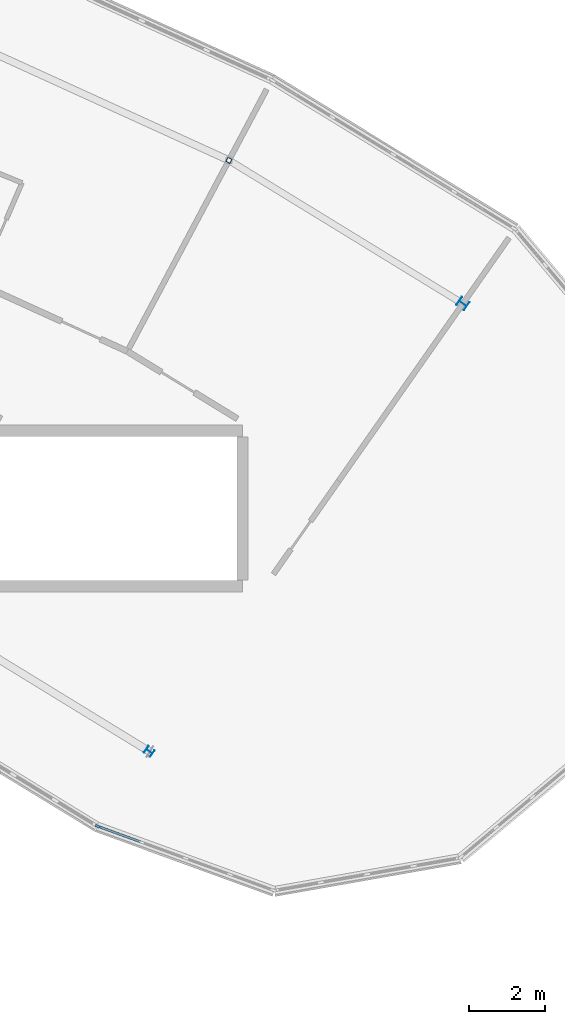
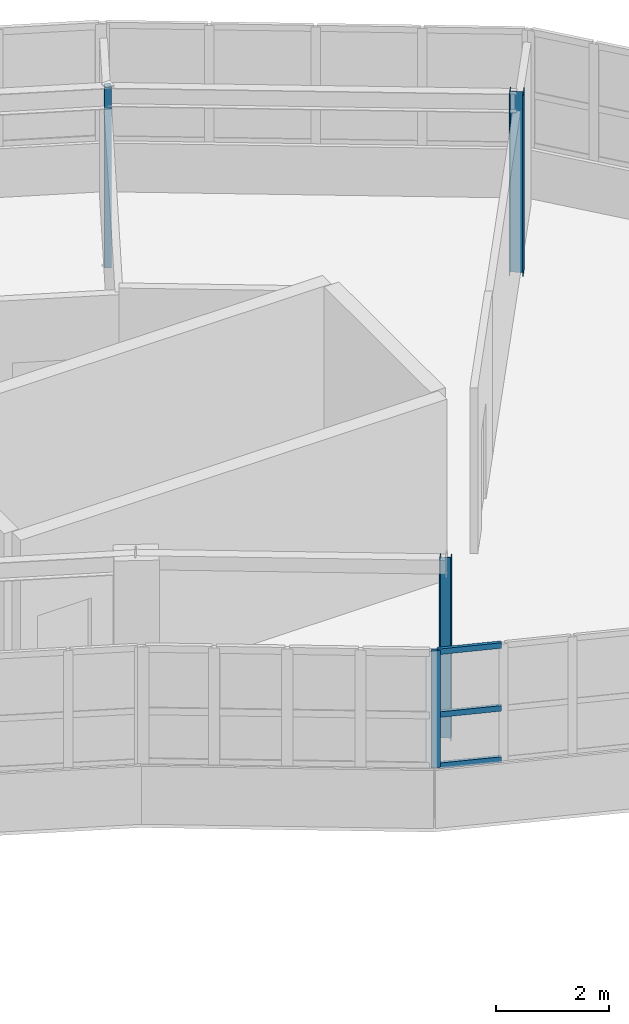
# One storey, part 5 of 26: 4 members, 3 columns, 1 element without a shape of its own.
"""IFC4 building model written with IfcOpenShell, lengths in metres."""

from ifc_helpers import new_model, si_unit, direction, frame, origin, origin_2d, place, context, subcontext, project, spatial, rectangle, hollow_rectangle, i_section, extrude, material, layer, layer_set, material_profile, profile_set, type_object, element, aggregate, save


model = new_model("IFC4")

# Units and contexts
model_context = context("Model", 3, precision=1e-05, world=origin(), true_north=direction((0.0, 1.0)))
body_context = subcontext(model_context, "Body", "Model", "MODEL_VIEW")
ifc_project = project(units=[si_unit("LENGTHUNIT", "METRE"), si_unit("AREAUNIT", "SQUARE_METRE"), si_unit("VOLUMEUNIT", "CUBIC_METRE"), si_unit("PLANEANGLEUNIT", "RADIAN"), si_unit("MASSUNIT", "GRAM", prefix="KILO")], contexts=[model_context])

# Site, building, storey
site_placement = place(None, origin())
site = spatial("IfcSite", under=ifc_project, at=site_placement, CompositionType="ELEMENT")
building_placement = place(site_placement, origin())
building = spatial("IfcBuilding", under=site, at=building_placement, Name="Tarnwether General Hospital", CompositionType="ELEMENT")
storey_placement = place(building_placement, frame((0.0, 0.0, 30.0)))
storey = spatial("IfcBuildingStorey", under=building, at=storey_placement, Name="L07", CompositionType="ELEMENT", Elevation=30.0)

# Columns
ifc_material_1 = material(Name="Steel Grade 350 (350 MPa)", Category="steel")
ifc_material_profile_1 = material_profile(ifc_material_1, i_section(OverallWidth=0.25390625, OverallDepth=0.25390625, WebThickness=0.008544921875, FlangeThickness=0.01416015625, at=origin_2d()), Name="250UC72.9")
ifc_profile_set_1 = profile_set([ifc_material_profile_1], Name="Steel Grade 350 (350 MPa)")
column_type_1 = type_object("IfcColumnType", Name="COL-24", PredefinedType="COLUMN", material=ifc_profile_set_1)
column_1_placement = place(storey_placement, frame((125.9560546875, 111.493896484375, 0.0), z_axis=(0.0, 0.0, 1.0), x_axis=(0.573576436351, 0.819152044289, 0.0)))
element("IfcColumn", 1, at=column_1_placement, inside=storey, type_object=column_type_1, Name="Column COLG-L07-12596_11149", PredefinedType="COLUMN", context=body_context, shape_type="SweptSolid", body=[
    extrude(i_section(OverallWidth=0.25390625, OverallDepth=0.25390625, WebThickness=0.008544921875, FlangeThickness=0.01416015625, at=origin_2d()), origin(), (0.0, 0.0, 1.0), 3.89990234375),
])
ifc_material_2 = material(Name="Steel Grade 350 (350 MPa)", Category="steel")
ifc_material_profile_2 = material_profile(ifc_material_2, i_section(OverallWidth=0.205078125, OverallDepth=0.2099609375, WebThickness=0.00927734375, FlangeThickness=0.01416015625, at=origin_2d()), Name="200UC59.5")
ifc_profile_set_2 = profile_set([ifc_material_profile_2], Name="Steel Grade 350 (350 MPa)")
column_type_2 = type_object("IfcColumnType", Name="COL-25", PredefinedType="COLUMN", material=ifc_profile_set_2)
column_2_placement = place(storey_placement, frame((117.696044921875, 99.697998046875, 0.0), z_axis=(0.0, 0.0, 1.0), x_axis=(0.573576436351, 0.819152044289, 0.0)))
element("IfcColumn", 2, at=column_2_placement, inside=storey, type_object=column_type_2, Name="Column COLG-L07-11770_9970", PredefinedType="COLUMN", context=body_context, shape_type="SweptSolid", body=[
    extrude(i_section(OverallWidth=0.205078125, OverallDepth=0.2099609375, WebThickness=0.00927734375, FlangeThickness=0.01416015625, at=origin_2d()), origin(), (0.0, 0.0, 1.0), 3.89990234375),
])
ifc_material_3 = material(Name="Steel Grade C350L0 (350 MPa)", Category="steel")
ifc_material_profile_3 = material_profile(ifc_material_3, hollow_rectangle(XDim=0.125, YDim=0.125, WallThickness=0.006103515625, at=origin_2d()), Name="SHS125x125x6")
ifc_profile_set_3 = profile_set([ifc_material_profile_3], Name="Steel Grade C350L0 (350 MPa)")
column_type_3 = type_object("IfcColumnType", Name="COL-34", PredefinedType="COLUMN", material=ifc_profile_set_3)
column_3_placement = place(storey_placement, frame((119.79296875, 115.27001953125, 0.0), z_axis=(0.0, 0.0, 1.0), x_axis=(0.469471562786, 0.882947592859, 0.0)))
element("IfcColumn", 3, at=column_3_placement, inside=storey, type_object=column_type_3, Name="Column COLG-L07-11979_11527", PredefinedType="COLUMN", context=body_context, shape_type="SweptSolid", body=[
    extrude(hollow_rectangle(XDim=0.125, YDim=0.125, WallThickness=0.006103515625, at=origin_2d()), origin(), (0.0, 0.0, 1.0), 3.89990234375),
])

# Curtain wall, members
ifc_material_4 = material(Name="Anodised aluminium", Category="aluminium")
ifc_layer = layer(ifc_material_4, 0.159912109375)
ifc_layer_set = layer_set([ifc_layer], Name="Anodised aluminium")
curtain_wall_type = type_object("IfcCurtainWallType", Name="CW-03", PredefinedType="NOTDEFINED", material=ifc_layer_set)
curtain_wall_placement = place(storey_placement, origin())
curtain_wall = element("IfcCurtainWall", 4, at=curtain_wall_placement, inside=storey, type_object=curtain_wall_type, Name="Curtain Wall CWG-L07-1210_960-0140", PredefinedType="NOTDEFINED")
ifc_material_5 = material(Name="Anodised aluminium", Category="aluminium")
ifc_material_profile_4 = material_profile(ifc_material_5, rectangle(XDim=0.06005859375, YDim=0.159912109375, at=origin_2d()), Name="ALU-MUL-60x160")
ifc_profile_set_4 = profile_set([ifc_material_profile_4], Name="Anodised aluminium")
member_type_1 = type_object("IfcMemberType", Name="CW-ML1", PredefinedType="MULLION", material=ifc_profile_set_4)
member_1_placement = place(storey_placement, frame((116.34814453125, 97.7216796875, 1.050048828125), z_axis=(0.0, 0.0, 1.0), x_axis=(-0.342130850834, -0.939652319163, 0.0)))
member_1 = element("IfcMember", 5, at=member_1_placement, type_object=member_type_1, Name="CW-03 mullion 5", PredefinedType="MULLION", context=body_context, shape_type="SweptSolid", body=[
    extrude(rectangle(XDim=0.06005859375, YDim=0.159912109375, at=origin_2d()), origin(), (0.0, 0.0, 1.0), 2.52001953125),
])
ifc_material_6 = material(Name="Anodised aluminium", Category="aluminium")
ifc_material_profile_5 = material_profile(ifc_material_6, rectangle(XDim=0.06005859375, YDim=0.1201171875, at=origin_2d()), Name="ALU-TRN-60x120")
ifc_profile_set_5 = profile_set([ifc_material_profile_5], Name="Anodised aluminium")
member_type_2 = type_object("IfcMemberType", Name="CW-TR1", PredefinedType="USERDEFINED", material=ifc_profile_set_5)
member_2_placement = place(storey_placement, frame((117.458984375, 97.3173828125, 1.080078125), z_axis=(-0.939681996159, 0.342049332837, 0.0), x_axis=(-0.342049332837, -0.939681996159, 0.0)))
member_2 = element("IfcMember", 6, at=member_2_placement, type_object=member_type_2, Name="CW-03 transom 4.1", ObjectType="TRANSOM", PredefinedType="USERDEFINED", context=body_context, shape_type="SweptSolid", body=[
    extrude(rectangle(XDim=0.06005859375, YDim=0.1201171875, at=origin_2d()), origin(), (0.0, 0.0, 1.0), 1.152099609375),
])
member_3_placement = place(storey_placement, frame((117.458984375, 97.3173828125, 2.18408203125), z_axis=(-0.939681996159, 0.342049332837, 0.0), x_axis=(-0.342049332837, -0.939681996159, 0.0)))
member_3 = element("IfcMember", 7, at=member_3_placement, type_object=member_type_2, Name="CW-03 transom 4.2", ObjectType="TRANSOM", PredefinedType="USERDEFINED", context=body_context, shape_type="SweptSolid", body=[
    extrude(rectangle(XDim=0.06005859375, YDim=0.1201171875, at=origin_2d()), origin(), (0.0, 0.0, 1.0), 1.152099609375),
])
member_4_placement = place(storey_placement, frame((117.458984375, 97.3173828125, 3.5400390625), z_axis=(-0.939681996159, 0.342049332837, 0.0), x_axis=(-0.342049332837, -0.939681996159, 0.0)))
member_4 = element("IfcMember", 8, at=member_4_placement, type_object=member_type_2, Name="CW-03 transom 4.3", ObjectType="TRANSOM", PredefinedType="USERDEFINED", context=body_context, shape_type="SweptSolid", body=[
    extrude(rectangle(XDim=0.06005859375, YDim=0.1201171875, at=origin_2d()), origin(), (0.0, 0.0, 1.0), 1.152099609375),
])
aggregate(curtain_wall, [member_1, member_2, member_3, member_4])

save(model, "model.ifc")
